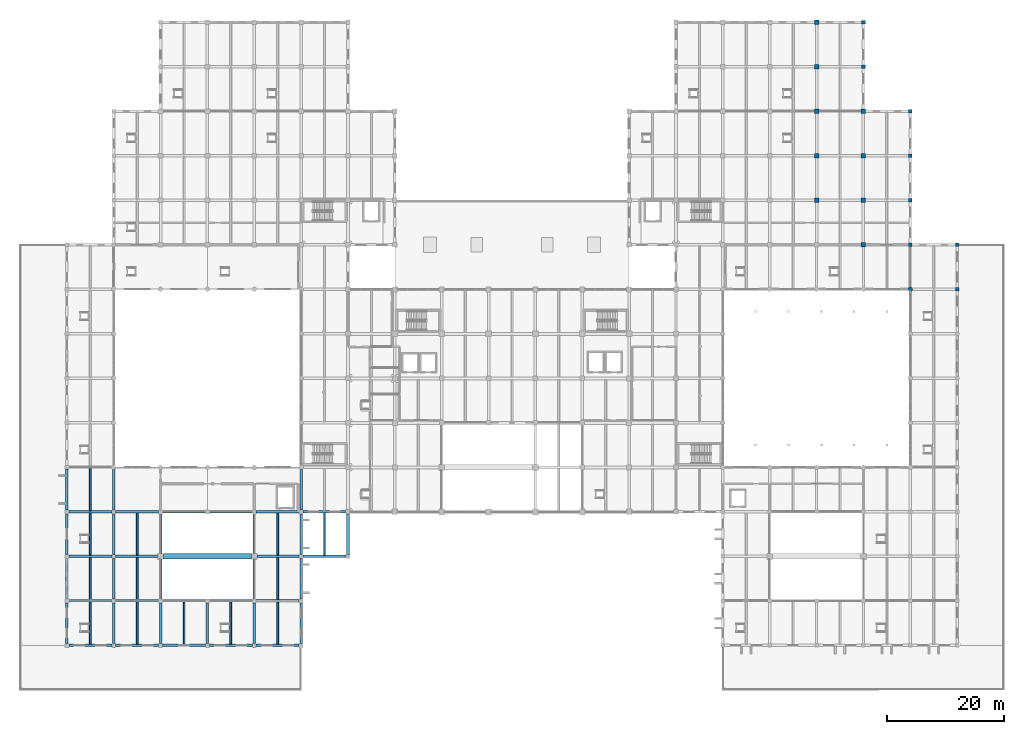
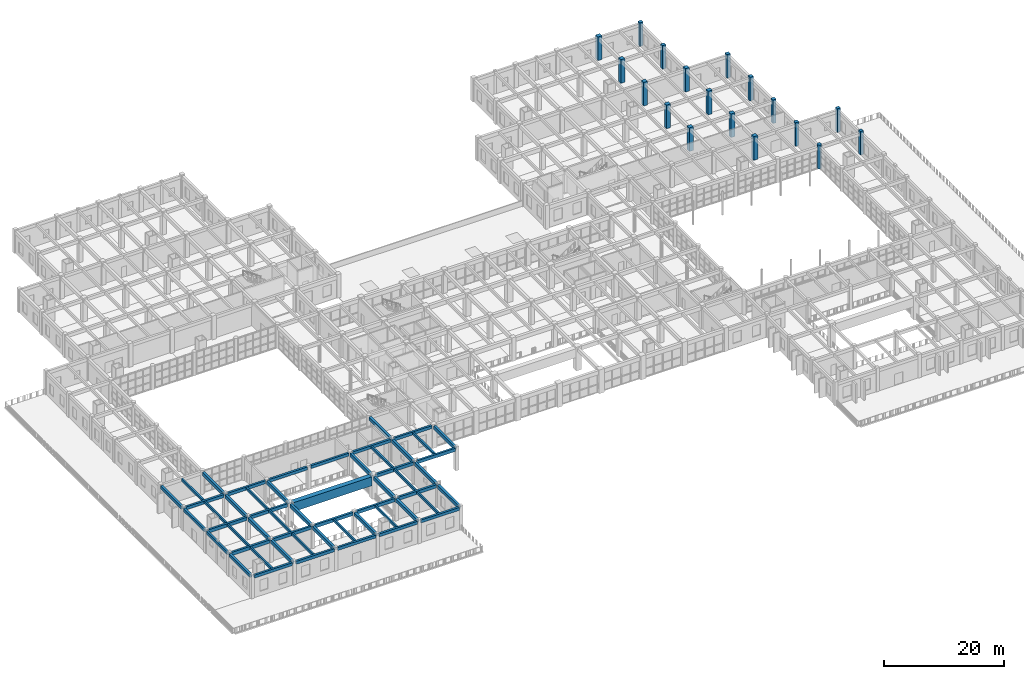
# One storey, part 6 of 101: 54 beams, 18 columns.
"""IFC4 building model written with IfcOpenShell, lengths in metres."""

from ifc_helpers import new_model, si_unit, direction, frame, origin, origin_2d, place, context, subcontext, project, spatial, rectangle, circle, extrude, material, material_profile, profile_set, type_object, element, save


model = new_model("IFC4")

# Units and contexts
model_context = context("Model", 3, precision=1e-05, world=origin(), true_north=direction((0.0, 1.0)))
body_context = subcontext(model_context, "Body", "Model", "MODEL_VIEW")
ifc_project = project(units=[si_unit("LENGTHUNIT", "METRE"), si_unit("AREAUNIT", "SQUARE_METRE"), si_unit("VOLUMEUNIT", "CUBIC_METRE"), si_unit("PLANEANGLEUNIT", "RADIAN"), si_unit("MASSUNIT", "GRAM", prefix="KILO")], contexts=[model_context])

# Site, building, storey
site_placement = place(None, origin())
site = spatial("IfcSite", under=ifc_project, at=site_placement, CompositionType="ELEMENT")
building_placement = place(site_placement, origin())
building = spatial("IfcBuilding", under=site, at=building_placement, Name="Zantavel Square City Hall", CompositionType="ELEMENT")
storey_placement = place(building_placement, frame((0.0, 0.0, 5.39990234375)))
storey = spatial("IfcBuildingStorey", under=building, at=storey_placement, Name="L02", CompositionType="ELEMENT", Elevation=5.39990234375)

# Columns
ifc_material_1 = material(Name="Concrete C40/50", Category="concrete")
ifc_material_profile_1 = material_profile(ifc_material_1, rectangle(XDim=0.60009765625, YDim=0.60009765625, at=origin_2d()), Name="RC 600x600")
ifc_profile_set_1 = profile_set([ifc_material_profile_1], Name="Concrete C40/50")
column_type_1 = type_object("IfcColumnType", Name="Column RC 600x600 C40/50", PredefinedType="COLUMN", material=ifc_profile_set_1)
for number, where, z_axis, x_axis, name in (
    (1, (160.0, 68.39990234375, 0.0), (0.0, 0.0, 1.0), (1.0, 0.0, 0.0), "L02 Column COL-L02-1600-0684"),
    (2, (160.0, 76.0, 0.0), (0.0, 0.0, 1.0), (1.0, 0.0, 0.0), "L02 Column COL-L02-1600-0760"),
):
    element("IfcColumn", number, at=place(storey_placement, frame(where, z_axis=z_axis, x_axis=x_axis)), inside=storey, type_object=column_type_1, Name=name, PredefinedType="COLUMN", context=body_context, shape_type="SweptSolid", body=[
        extrude(rectangle(XDim=0.60009765625, YDim=0.60009765625, at=origin_2d()), origin(), (0.0, 0.0, 1.0), 4.800048828125),
    ])
ifc_material_profile_2 = material_profile(ifc_material_1, rectangle(XDim=0.64990234375, YDim=0.64990234375, at=origin_2d()), Name="RC 650x650")
ifc_profile_set_2 = profile_set([ifc_material_profile_2], Name="Concrete C40/50")
column_type_2 = type_object("IfcColumnType", Name="Column RC 650x650 C40/50", PredefinedType="COLUMN", material=ifc_profile_set_2)
for number, where, z_axis, x_axis, name in (
    (3, (144.0, 106.39990234375, 0.0), (0.0, 0.0, 1.0), (1.0, 0.0, 0.0), "L02 Column COL-L02-1440-1064"),
    (4, (144.0, 114.0, 0.0), (0.0, 0.0, 1.0), (1.0, 0.0, 0.0), "L02 Column COL-L02-1440-1140"),
    (5, (152.0, 76.0, 0.0), (0.0, 0.0, 1.0), (1.0, 0.0, 0.0), "L02 Column COL-L02-1520-0760"),
    (6, (152.0, 83.60009765625, 0.0), (0.0, 0.0, 1.0), (1.0, 0.0, 0.0), "L02 Column COL-L02-1520-0836"),
    (7, (152.0, 91.199951171875, 0.0), (0.0, 0.0, 1.0), (1.0, 0.0, 0.0), "L02 Column COL-L02-1520-0912"),
    (8, (152.0, 98.800048828125, 0.0), (0.0, 0.0, 1.0), (1.0, 0.0, 0.0), "L02 Column COL-L02-1520-0988"),
):
    element("IfcColumn", number, at=place(storey_placement, frame(where, z_axis=z_axis, x_axis=x_axis)), inside=storey, type_object=column_type_2, Name=name, PredefinedType="COLUMN", context=body_context, shape_type="SweptSolid", body=[
        extrude(rectangle(XDim=0.64990234375, YDim=0.64990234375, at=origin_2d()), origin(), (0.0, 0.0, 1.0), 4.800048828125),
    ])
ifc_material_profile_3 = material_profile(ifc_material_1, rectangle(XDim=0.75, YDim=0.75, at=origin_2d()), Name="RC 750x750")
ifc_profile_set_3 = profile_set([ifc_material_profile_3], Name="Concrete C40/50")
column_type_3 = type_object("IfcColumnType", Name="Column RC 750x750 C40/50", PredefinedType="COLUMN", material=ifc_profile_set_3)
for number, where, z_axis, x_axis, name in (
    (9, (136.0, 83.60009765625, 0.0), (0.0, 0.0, 1.0), (1.0, 0.0, 0.0), "L02 Column COL-L02-1360-0836"),
    (10, (136.0, 91.199951171875, 0.0), (0.0, 0.0, 1.0), (1.0, 0.0, 0.0), "L02 Column COL-L02-1360-0912"),
    (11, (136.0, 98.800048828125, 0.0), (0.0, 0.0, 1.0), (1.0, 0.0, 0.0), "L02 Column COL-L02-1360-0988"),
    (12, (136.0, 106.39990234375, 0.0), (0.0, 0.0, 1.0), (1.0, 0.0, 0.0), "L02 Column COL-L02-1360-1064"),
    (13, (136.0, 114.0, 0.0), (0.0, 0.0, 1.0), (1.0, 0.0, 0.0), "L02 Column COL-L02-1360-1140"),
    (14, (144.0, 76.0, 0.0), (0.0, 0.0, 1.0), (1.0, 0.0, 0.0), "L02 Column COL-L02-1440-0760"),
    (15, (144.0, 83.60009765625, 0.0), (0.0, 0.0, 1.0), (1.0, 0.0, 0.0), "L02 Column COL-L02-1440-0836"),
    (16, (144.0, 91.199951171875, 0.0), (0.0, 0.0, 1.0), (1.0, 0.0, 0.0), "L02 Column COL-L02-1440-0912"),
    (17, (144.0, 98.800048828125, 0.0), (0.0, 0.0, 1.0), (1.0, 0.0, 0.0), "L02 Column COL-L02-1440-0988"),
):
    element("IfcColumn", number, at=place(storey_placement, frame(where, z_axis=z_axis, x_axis=x_axis)), inside=storey, type_object=column_type_3, Name=name, PredefinedType="COLUMN", context=body_context, shape_type="SweptSolid", body=[
        extrude(rectangle(XDim=0.75, YDim=0.75, at=origin_2d()), origin(), (0.0, 0.0, 1.0), 4.800048828125),
    ])
ifc_material_profile_4 = material_profile(ifc_material_1, circle(Radius=0.375, at=origin_2d()), Name="ROUND D750")
ifc_profile_set_4 = profile_set([ifc_material_profile_4], Name="Concrete C40/50")
column_type_4 = type_object("IfcColumnType", Name="Courtyard Ionic Column D750 C40/50", PredefinedType="COLUMN", material=ifc_profile_set_4)
column_placement = place(storey_placement, frame((152.0, 68.39990234375, 0.0), z_axis=(0.0, 0.0, 1.0), x_axis=(1.0, 0.0, 0.0)))
element("IfcColumn", 18, at=column_placement, inside=storey, type_object=column_type_4, Name="L02 Column COL-L02-1520-0684", PredefinedType="COLUMN", context=body_context, shape_type="SweptSolid", body=[
    extrude(circle(Radius=0.375, at=origin_2d()), origin(), (0.0, 0.0, 1.0), 4.800048828125),
])

# Beams
ifc_material_2 = material(Name="Concrete C35/45", Category="concrete")
ifc_material_profile_5 = material_profile(ifc_material_2, rectangle(XDim=0.300048828125, YDim=0.5, at=origin_2d()), Name="RC 300x500")
ifc_profile_set_5 = profile_set([ifc_material_profile_5], Name="Concrete C35/45")
beam_type_1 = type_object("IfcBeamType", Name="Floor Joist RC 300x500 C35/45", PredefinedType="JOIST", material=ifc_profile_set_5)
beam_1_placement = place(storey_placement, frame((12.0, 7.800048828125, 4.2900390625), z_axis=(0.0, 1.0, 0.0), x_axis=(-1.0, 0.0, 0.0)))
element("IfcBeam", 19, at=beam_1_placement, inside=storey, type_object=beam_type_1, Name="L02 Floor Joist JST-L02-0120-0076", PredefinedType="JOIST", context=body_context, shape_type="SweptSolid", body=[
    extrude(rectangle(XDim=0.300048828125, YDim=0.5, at=origin_2d()), origin(), (0.0, 0.0, 1.0), 7.199951171875),
])
beam_2_placement = place(storey_placement, frame((12.0, 15.39990234375, 4.2900390625), z_axis=(0.0, 1.0, 0.0), x_axis=(-1.0, 0.0, 0.0)))
element("IfcBeam", 20, at=beam_2_placement, inside=storey, type_object=beam_type_1, Name="L02 Floor Joist JST-L02-0120-0152", PredefinedType="JOIST", context=body_context, shape_type="SweptSolid", body=[
    extrude(rectangle(XDim=0.300048828125, YDim=0.5, at=origin_2d()), origin(), (0.0, 0.0, 1.0), 7.2001953125),
])
for number, where, z_axis, x_axis, name in (
    (21, (12.0, 23.0, 4.2900390625), (0.0, 1.0, 0.0), (-1.0, 0.0, 0.0), "L02 Floor Joist JST-L02-0120-0228"),
    (22, (12.0, 30.60009765625, 4.2900390625), (0.0, 1.0, 0.0), (-1.0, 0.0, 0.0), "L02 Floor Joist JST-L02-0120-0304"),
    (23, (20.0, 7.800048828125, 4.2900390625), (0.0, 1.0, 0.0), (-1.0, 0.0, 0.0), "L02 Floor Joist JST-L02-0200-0076"),
):
    element("IfcBeam", number, at=place(storey_placement, frame(where, z_axis=z_axis, x_axis=x_axis)), inside=storey, type_object=beam_type_1, Name=name, PredefinedType="JOIST", context=body_context, shape_type="SweptSolid", body=[
        extrude(rectangle(XDim=0.300048828125, YDim=0.5, at=origin_2d()), origin(), (0.0, 0.0, 1.0), 7.199951171875),
    ])
beam_3_placement = place(storey_placement, frame((20.0, 15.39990234375, 4.2900390625), z_axis=(0.0, 1.0, 0.0), x_axis=(-1.0, 0.0, 0.0)))
element("IfcBeam", 24, at=beam_3_placement, inside=storey, type_object=beam_type_1, Name="L02 Floor Joist JST-L02-0200-0152", PredefinedType="JOIST", context=body_context, shape_type="SweptSolid", body=[
    extrude(rectangle(XDim=0.300048828125, YDim=0.5, at=origin_2d()), origin(), (0.0, 0.0, 1.0), 7.2001953125),
])
for number, where, z_axis, x_axis, name in (
    (25, (20.0, 23.0, 4.2900390625), (0.0, 1.0, 0.0), (-1.0, 0.0, 0.0), "L02 Floor Joist JST-L02-0200-0228"),
    (26, (28.0, 7.800048828125, 4.2900390625), (0.0, 1.0, 0.0), (-1.0, 0.0, 0.0), "L02 Floor Joist JST-L02-0280-0076"),
    (27, (36.0, 7.800048828125, 4.2900390625), (0.0, 1.0, 0.0), (-1.0, 0.0, 0.0), "L02 Floor Joist JST-L02-0360-0076"),
    (28, (44.0, 7.800048828125, 4.2900390625), (0.0, 1.0, 0.0), (-1.0, 0.0, 0.0), "L02 Floor Joist JST-L02-0440-0076"),
):
    element("IfcBeam", number, at=place(storey_placement, frame(where, z_axis=z_axis, x_axis=x_axis)), inside=storey, type_object=beam_type_1, Name=name, PredefinedType="JOIST", context=body_context, shape_type="SweptSolid", body=[
        extrude(rectangle(XDim=0.300048828125, YDim=0.5, at=origin_2d()), origin(), (0.0, 0.0, 1.0), 7.199951171875),
    ])
beam_4_placement = place(storey_placement, frame((44.0, 15.39990234375, 4.2900390625), z_axis=(0.0, 1.0, 0.0), x_axis=(-1.0, 0.0, 0.0)))
element("IfcBeam", 29, at=beam_4_placement, inside=storey, type_object=beam_type_1, Name="L02 Floor Joist JST-L02-0440-0152", PredefinedType="JOIST", context=body_context, shape_type="SweptSolid", body=[
    extrude(rectangle(XDim=0.300048828125, YDim=0.5, at=origin_2d()), origin(), (0.0, 0.0, 1.0), 7.2001953125),
])
for number, where, z_axis, x_axis, name in (
    (30, (44.0, 23.0, 4.2900390625), (0.0, 1.0, 0.0), (-1.0, 0.0, 0.0), "L02 Floor Joist JST-L02-0440-0228"),
    (31, (52.0, 23.0, 4.2900390625), (0.0, 1.0, 0.0), (-1.0, 0.0, 0.0), "L02 Floor Joist JST-L02-0520-0228"),
):
    element("IfcBeam", number, at=place(storey_placement, frame(where, z_axis=z_axis, x_axis=x_axis)), inside=storey, type_object=beam_type_1, Name=name, PredefinedType="JOIST", context=body_context, shape_type="SweptSolid", body=[
        extrude(rectangle(XDim=0.300048828125, YDim=0.5, at=origin_2d()), origin(), (0.0, 0.0, 1.0), 7.199951171875),
    ])
ifc_material_profile_6 = material_profile(ifc_material_2, rectangle(XDim=0.39990234375, YDim=0.64990234375, at=origin_2d()), Name="RC 400x650")
ifc_profile_set_6 = profile_set([ifc_material_profile_6], Name="Concrete C35/45")
beam_type_2 = type_object("IfcBeamType", Name="Frame Beam RC 400x650 C35/45", PredefinedType="BEAM", material=ifc_profile_set_6)
for number, where, z_axis, x_axis, name in (
    (32, (8.324951171875, 15.199951171875, 4.215087890625), (1.0, 0.0, 0.0), (0.0, 1.0, 0.0), "L02 Girder BMX-L02-0080-0152"),
    (33, (8.324951171875, 22.800048828125, 4.215087890625), (1.0, 0.0, 0.0), (0.0, 1.0, 0.0), "L02 Girder BMX-L02-0080-0228"),
    (34, (16.324951171875, 15.199951171875, 4.215087890625), (1.0, 0.0, 0.0), (0.0, 1.0, 0.0), "L02 Girder BMX-L02-0160-0152"),
):
    element("IfcBeam", number, at=place(storey_placement, frame(where, z_axis=z_axis, x_axis=x_axis)), inside=storey, type_object=beam_type_2, Name=name, PredefinedType="BEAM", context=body_context, shape_type="SweptSolid", body=[
        extrude(rectangle(XDim=0.39990234375, YDim=0.64990234375, at=origin_2d()), origin(), (0.0, 0.0, 1.0), 7.35009765625),
    ])
beam_5_placement = place(storey_placement, frame((16.324951171875, 22.800048828125, 4.215087890625), z_axis=(1.0, 0.0, 0.0), x_axis=(0.0, 1.0, 0.0)))
element("IfcBeam", 35, at=beam_5_placement, inside=storey, type_object=beam_type_2, Name="L02 Girder BMX-L02-0160-0228", PredefinedType="BEAM", context=body_context, shape_type="SweptSolid", body=[
    extrude(rectangle(XDim=0.39990234375, YDim=0.64990234375, at=origin_2d()), origin(), (0.0, 0.0, 1.0), 7.175048828125),
])
for number, where, z_axis, x_axis, name in (
    (36, (24.324951171875, 15.199951171875, 4.215087890625), (1.0, 0.0, 0.0), (0.0, 1.0, 0.0), "L02 Girder BMX-L02-0240-0152"),
    (37, (32.324951171875, 15.199951171875, 4.215087890625), (1.0, 0.0, 0.0), (0.0, 1.0, 0.0), "L02 Girder BMX-L02-0320-0152"),
    (38, (40.324951171875, 15.199951171875, 4.215087890625), (1.0, 0.0, 0.0), (0.0, 1.0, 0.0), "L02 Girder BMX-L02-0400-0152"),
):
    element("IfcBeam", number, at=place(storey_placement, frame(where, z_axis=z_axis, x_axis=x_axis)), inside=storey, type_object=beam_type_2, Name=name, PredefinedType="BEAM", context=body_context, shape_type="SweptSolid", body=[
        extrude(rectangle(XDim=0.39990234375, YDim=0.64990234375, at=origin_2d()), origin(), (0.0, 0.0, 1.0), 7.35009765625),
    ])
beam_6_placement = place(storey_placement, frame((40.5, 22.800048828125, 4.215087890625), z_axis=(1.0, 0.0, 0.0), x_axis=(0.0, 1.0, 0.0)))
element("IfcBeam", 39, at=beam_6_placement, inside=storey, type_object=beam_type_2, Name="L02 Girder BMX-L02-0400-0228", PredefinedType="BEAM", context=body_context, shape_type="SweptSolid", body=[
    extrude(rectangle(XDim=0.39990234375, YDim=0.64990234375, at=origin_2d()), origin(), (0.0, 0.0, 1.0), 7.175048828125),
])
beam_7_placement = place(storey_placement, frame((48.324951171875, 22.800048828125, 4.215087890625), z_axis=(1.0, 0.0, 0.0), x_axis=(0.0, 1.0, 0.0)))
element("IfcBeam", 40, at=beam_7_placement, inside=storey, type_object=beam_type_2, Name="L02 Girder BMX-L02-0480-0228", PredefinedType="BEAM", context=body_context, shape_type="SweptSolid", body=[
    extrude(rectangle(XDim=0.39990234375, YDim=0.64990234375, at=origin_2d()), origin(), (0.0, 0.0, 1.0), 7.35009765625),
])
ifc_material_profile_7 = material_profile(ifc_material_2, rectangle(XDim=0.39990234375, YDim=0.60009765625, at=origin_2d()), Name="RC 400x600")
ifc_profile_set_7 = profile_set([ifc_material_profile_7], Name="Concrete C35/45")
beam_type_3 = type_object("IfcBeamType", Name="Perimeter Spandrel RC 400x600 C35/45", PredefinedType="SPANDREL", material=ifc_profile_set_7)
beam_8_placement = place(storey_placement, frame((8.324951171875, 7.60009765625, 4.239990234375), z_axis=(1.0, 0.0, 0.0), x_axis=(0.0, 1.0, 0.0)))
element("IfcBeam", 41, at=beam_8_placement, inside=storey, type_object=beam_type_3, Name="L02 Girder BMX-L02-0080-0076", PredefinedType="SPANDREL", context=body_context, shape_type="SweptSolid", body=[
    extrude(rectangle(XDim=0.39990234375, YDim=0.60009765625, at=origin_2d()), origin(), (0.0, 0.0, 1.0), 7.35009765625),
])
beam_9_placement = place(storey_placement, frame((8.0, 7.925048828125, 4.239990234375), z_axis=(0.0, 1.0, 0.0), x_axis=(-1.0, 0.0, 0.0)))
element("IfcBeam", 42, at=beam_9_placement, inside=storey, type_object=beam_type_3, Name="L02 Beam BMY-L02-0080-0076", PredefinedType="SPANDREL", context=body_context, shape_type="SweptSolid", body=[
    extrude(rectangle(XDim=0.39990234375, YDim=0.60009765625, at=origin_2d()), origin(), (0.0, 0.0, 1.0), 6.949951171875),
])
beam_10_placement = place(storey_placement, frame((8.0, 15.52490234375, 4.239990234375), z_axis=(0.0, 1.0, 0.0), x_axis=(-1.0, 0.0, 0.0)))
element("IfcBeam", 43, at=beam_10_placement, inside=storey, type_object=beam_type_3, Name="L02 Beam BMY-L02-0080-0152", PredefinedType="SPANDREL", context=body_context, shape_type="SweptSolid", body=[
    extrude(rectangle(XDim=0.39990234375, YDim=0.60009765625, at=origin_2d()), origin(), (0.0, 0.0, 1.0), 6.9501953125),
])
beam_11_placement = place(storey_placement, frame((8.0, 23.125, 4.239990234375), z_axis=(0.0, 1.0, 0.0), x_axis=(-1.0, 0.0, 0.0)))
element("IfcBeam", 44, at=beam_11_placement, inside=storey, type_object=beam_type_3, Name="L02 Beam BMY-L02-0080-0228", PredefinedType="SPANDREL", context=body_context, shape_type="SweptSolid", body=[
    extrude(rectangle(XDim=0.39990234375, YDim=0.60009765625, at=origin_2d()), origin(), (0.0, 0.0, 1.0), 6.949951171875),
])
beam_12_placement = place(storey_placement, frame((8.324951171875, 30.39990234375, 4.239990234375), z_axis=(1.0, 0.0, 0.0), x_axis=(0.0, 1.0, 0.0)))
element("IfcBeam", 45, at=beam_12_placement, inside=storey, type_object=beam_type_3, Name="L02 Girder BMX-L02-0080-0304", PredefinedType="SPANDREL", context=body_context, shape_type="SweptSolid", body=[
    extrude(rectangle(XDim=0.39990234375, YDim=0.60009765625, at=origin_2d()), origin(), (0.0, 0.0, 1.0), 7.35009765625),
])
beam_13_placement = place(storey_placement, frame((8.0, 30.72509765625, 4.239990234375), z_axis=(0.0, 1.0, 0.0), x_axis=(-1.0, 0.0, 0.0)))
element("IfcBeam", 46, at=beam_13_placement, inside=storey, type_object=beam_type_3, Name="L02 Beam BMY-L02-0080-0304", PredefinedType="SPANDREL", context=body_context, shape_type="SweptSolid", body=[
    extrude(rectangle(XDim=0.39990234375, YDim=0.60009765625, at=origin_2d()), origin(), (0.0, 0.0, 1.0), 6.949951171875),
])
for number, where, z_axis, x_axis, name in (
    (47, (16.324951171875, 7.60009765625, 4.239990234375), (1.0, 0.0, 0.0), (0.0, 1.0, 0.0), "L02 Girder BMX-L02-0160-0076"),
    (48, (16.324951171875, 30.39990234375, 4.239990234375), (1.0, 0.0, 0.0), (0.0, 1.0, 0.0), "L02 Girder BMX-L02-0160-0304"),
    (49, (24.324951171875, 7.60009765625, 4.239990234375), (1.0, 0.0, 0.0), (0.0, 1.0, 0.0), "L02 Girder BMX-L02-0240-0076"),
    (50, (24.324951171875, 30.39990234375, 4.239990234375), (1.0, 0.0, 0.0), (0.0, 1.0, 0.0), "L02 Girder BMX-L02-0240-0304"),
    (51, (32.324951171875, 7.60009765625, 4.239990234375), (1.0, 0.0, 0.0), (0.0, 1.0, 0.0), "L02 Girder BMX-L02-0320-0076"),
    (52, (32.324951171875, 30.39990234375, 4.239990234375), (1.0, 0.0, 0.0), (0.0, 1.0, 0.0), "L02 Girder BMX-L02-0320-0304"),
    (53, (40.324951171875, 7.60009765625, 4.239990234375), (1.0, 0.0, 0.0), (0.0, 1.0, 0.0), "L02 Girder BMX-L02-0400-0076"),
    (54, (40.324951171875, 30.39990234375, 4.239990234375), (1.0, 0.0, 0.0), (0.0, 1.0, 0.0), "L02 Girder BMX-L02-0400-0304"),
):
    element("IfcBeam", number, at=place(storey_placement, frame(where, z_axis=z_axis, x_axis=x_axis)), inside=storey, type_object=beam_type_3, Name=name, PredefinedType="SPANDREL", context=body_context, shape_type="SweptSolid", body=[
        extrude(rectangle(XDim=0.39990234375, YDim=0.60009765625, at=origin_2d()), origin(), (0.0, 0.0, 1.0), 7.35009765625),
    ])
beam_14_placement = place(storey_placement, frame((48.324951171875, 30.39990234375, 4.239990234375), z_axis=(1.0, 0.0, 0.0), x_axis=(0.0, 1.0, 0.0)))
element("IfcBeam", 55, at=beam_14_placement, inside=storey, type_object=beam_type_3, Name="L02 Girder BMX-L02-0480-0304", PredefinedType="SPANDREL", context=body_context, shape_type="SweptSolid", body=[
    extrude(rectangle(XDim=0.39990234375, YDim=0.60009765625, at=origin_2d()), origin(), (0.0, 0.0, 1.0), 7.275146484375),
])
ifc_material_profile_8 = material_profile(ifc_material_2, rectangle(XDim=0.449951171875, YDim=0.699951171875, at=origin_2d()), Name="RC 450x700")
ifc_profile_set_8 = profile_set([ifc_material_profile_8], Name="Concrete C35/45")
beam_type_4 = type_object("IfcBeamType", Name="Primary Girder RC 450x700 C35/45", PredefinedType="BEAM", material=ifc_profile_set_8)
beam_15_placement = place(storey_placement, frame((16.0, 7.925048828125, 4.190185546875), z_axis=(0.0, 1.0, 0.0), x_axis=(-1.0, 0.0, 0.0)))
element("IfcBeam", 56, at=beam_15_placement, inside=storey, type_object=beam_type_4, Name="L02 Beam BMY-L02-0160-0076", PredefinedType="BEAM", context=body_context, shape_type="SweptSolid", body=[
    extrude(rectangle(XDim=0.449951171875, YDim=0.699951171875, at=origin_2d()), origin(), (0.0, 0.0, 1.0), 6.949951171875),
])
beam_16_placement = place(storey_placement, frame((16.0, 15.52490234375, 4.190185546875), z_axis=(0.0, 1.0, 0.0), x_axis=(-1.0, 0.0, 0.0)))
element("IfcBeam", 57, at=beam_16_placement, inside=storey, type_object=beam_type_4, Name="L02 Beam BMY-L02-0160-0152", PredefinedType="BEAM", context=body_context, shape_type="SweptSolid", body=[
    extrude(rectangle(XDim=0.449951171875, YDim=0.699951171875, at=origin_2d()), origin(), (0.0, 0.0, 1.0), 6.9501953125),
])
beam_17_placement = place(storey_placement, frame((16.0, 23.125, 4.190185546875), z_axis=(0.0, 1.0, 0.0), x_axis=(-1.0, 0.0, 0.0)))
element("IfcBeam", 58, at=beam_17_placement, inside=storey, type_object=beam_type_4, Name="L02 Beam BMY-L02-0160-0228", PredefinedType="BEAM", context=body_context, shape_type="SweptSolid", body=[
    extrude(rectangle(XDim=0.449951171875, YDim=0.699951171875, at=origin_2d()), origin(), (0.0, 0.0, 1.0), 6.949951171875),
])
beam_18_placement = place(storey_placement, frame((16.0, 30.72509765625, 4.190185546875), z_axis=(0.0, 1.0, 0.0), x_axis=(-1.0, 0.0, 0.0)))
element("IfcBeam", 59, at=beam_18_placement, inside=storey, type_object=beam_type_4, Name="L02 Beam BMY-L02-0160-0304", PredefinedType="BEAM", context=body_context, shape_type="SweptSolid", body=[
    extrude(rectangle(XDim=0.449951171875, YDim=0.699951171875, at=origin_2d()), origin(), (0.0, 0.0, 1.0), 6.89990234375),
])
beam_19_placement = place(storey_placement, frame((24.0, 7.925048828125, 4.190185546875), z_axis=(0.0, 1.0, 0.0), x_axis=(-1.0, 0.0, 0.0)))
element("IfcBeam", 60, at=beam_19_placement, inside=storey, type_object=beam_type_4, Name="L02 Beam BMY-L02-0240-0076", PredefinedType="BEAM", context=body_context, shape_type="SweptSolid", body=[
    extrude(rectangle(XDim=0.449951171875, YDim=0.699951171875, at=origin_2d()), origin(), (0.0, 0.0, 1.0), 6.949951171875),
])
beam_20_placement = place(storey_placement, frame((24.0, 15.52490234375, 4.190185546875), z_axis=(0.0, 1.0, 0.0), x_axis=(-1.0, 0.0, 0.0)))
element("IfcBeam", 61, at=beam_20_placement, inside=storey, type_object=beam_type_4, Name="L02 Beam BMY-L02-0240-0152", PredefinedType="BEAM", context=body_context, shape_type="SweptSolid", body=[
    extrude(rectangle(XDim=0.449951171875, YDim=0.699951171875, at=origin_2d()), origin(), (0.0, 0.0, 1.0), 6.775146484375),
])
beam_21_placement = place(storey_placement, frame((24.0, 23.300048828125, 4.190185546875), z_axis=(0.0, 1.0, 0.0), x_axis=(-1.0, 0.0, 0.0)))
element("IfcBeam", 62, at=beam_21_placement, inside=storey, type_object=beam_type_4, Name="L02 Beam BMY-L02-0240-0228", PredefinedType="BEAM", context=body_context, shape_type="SweptSolid", body=[
    extrude(rectangle(XDim=0.449951171875, YDim=0.699951171875, at=origin_2d()), origin(), (0.0, 0.0, 1.0), 6.77490234375),
])
for number, where, z_axis, x_axis, name in (
    (63, (32.0, 7.925048828125, 4.190185546875), (0.0, 1.0, 0.0), (-1.0, 0.0, 0.0), "L02 Beam BMY-L02-0320-0076"),
    (64, (40.0, 7.925048828125, 4.190185546875), (0.0, 1.0, 0.0), (-1.0, 0.0, 0.0), "L02 Beam BMY-L02-0400-0076"),
):
    element("IfcBeam", number, at=place(storey_placement, frame(where, z_axis=z_axis, x_axis=x_axis)), inside=storey, type_object=beam_type_4, Name=name, PredefinedType="BEAM", context=body_context, shape_type="SweptSolid", body=[
        extrude(rectangle(XDim=0.449951171875, YDim=0.699951171875, at=origin_2d()), origin(), (0.0, 0.0, 1.0), 6.949951171875),
    ])
beam_22_placement = place(storey_placement, frame((40.0, 15.52490234375, 4.190185546875), z_axis=(0.0, 1.0, 0.0), x_axis=(-1.0, 0.0, 0.0)))
element("IfcBeam", 65, at=beam_22_placement, inside=storey, type_object=beam_type_4, Name="L02 Beam BMY-L02-0400-0152", PredefinedType="BEAM", context=body_context, shape_type="SweptSolid", body=[
    extrude(rectangle(XDim=0.449951171875, YDim=0.699951171875, at=origin_2d()), origin(), (0.0, 0.0, 1.0), 6.775146484375),
])
beam_23_placement = place(storey_placement, frame((40.0, 23.300048828125, 4.190185546875), z_axis=(0.0, 1.0, 0.0), x_axis=(-1.0, 0.0, 0.0)))
element("IfcBeam", 66, at=beam_23_placement, inside=storey, type_object=beam_type_4, Name="L02 Beam BMY-L02-0400-0228", PredefinedType="BEAM", context=body_context, shape_type="SweptSolid", body=[
    extrude(rectangle(XDim=0.449951171875, YDim=0.699951171875, at=origin_2d()), origin(), (0.0, 0.0, 1.0), 6.77490234375),
])
beam_24_placement = place(storey_placement, frame((48.0, 7.925048828125, 4.190185546875), z_axis=(0.0, 1.0, 0.0), x_axis=(-1.0, 0.0, 0.0)))
element("IfcBeam", 67, at=beam_24_placement, inside=storey, type_object=beam_type_4, Name="L02 Beam BMY-L02-0480-0076", PredefinedType="BEAM", context=body_context, shape_type="SweptSolid", body=[
    extrude(rectangle(XDim=0.449951171875, YDim=0.699951171875, at=origin_2d()), origin(), (0.0, 0.0, 1.0), 6.949951171875),
])
beam_25_placement = place(storey_placement, frame((48.0, 15.52490234375, 4.190185546875), z_axis=(0.0, 1.0, 0.0), x_axis=(-1.0, 0.0, 0.0)))
element("IfcBeam", 68, at=beam_25_placement, inside=storey, type_object=beam_type_4, Name="L02 Beam BMY-L02-0480-0152", PredefinedType="BEAM", context=body_context, shape_type="SweptSolid", body=[
    extrude(rectangle(XDim=0.449951171875, YDim=0.699951171875, at=origin_2d()), origin(), (0.0, 0.0, 1.0), 6.9501953125),
])
beam_26_placement = place(storey_placement, frame((48.0, 23.125, 4.190185546875), z_axis=(0.0, 1.0, 0.0), x_axis=(-1.0, 0.0, 0.0)))
element("IfcBeam", 69, at=beam_26_placement, inside=storey, type_object=beam_type_4, Name="L02 Beam BMY-L02-0480-0228", PredefinedType="BEAM", context=body_context, shape_type="SweptSolid", body=[
    extrude(rectangle(XDim=0.449951171875, YDim=0.699951171875, at=origin_2d()), origin(), (0.0, 0.0, 1.0), 6.949951171875),
])
beam_27_placement = place(storey_placement, frame((48.0, 30.72509765625, 4.190185546875), z_axis=(0.0, 1.0, 0.0), x_axis=(-1.0, 0.0, 0.0)))
element("IfcBeam", 70, at=beam_27_placement, inside=storey, type_object=beam_type_4, Name="L02 Beam BMY-L02-0480-0304", PredefinedType="BEAM", context=body_context, shape_type="SweptSolid", body=[
    extrude(rectangle(XDim=0.449951171875, YDim=0.699951171875, at=origin_2d()), origin(), (0.0, 0.0, 1.0), 6.89990234375),
])
beam_28_placement = place(storey_placement, frame((56.0, 23.125, 4.190185546875), z_axis=(0.0, 1.0, 0.0), x_axis=(-1.0, 0.0, 0.0)))
element("IfcBeam", 71, at=beam_28_placement, inside=storey, type_object=beam_type_4, Name="L02 Beam BMY-L02-0560-0228", PredefinedType="BEAM", context=body_context, shape_type="SweptSolid", body=[
    extrude(rectangle(XDim=0.449951171875, YDim=0.699951171875, at=origin_2d()), origin(), (0.0, 0.0, 1.0), 6.875),
])
ifc_material_profile_9 = material_profile(ifc_material_1, rectangle(XDim=0.89990234375, YDim=1.800048828125, at=origin_2d()), Name="RC 900x1800")
ifc_profile_set_9 = profile_set([ifc_material_profile_9], Name="Concrete C40/50")
beam_type_5 = type_object("IfcBeamType", Name="Transfer Girder RC 900x1800 C40/50", PredefinedType="BEAM", material=ifc_profile_set_9)
beam_29_placement = place(storey_placement, frame((24.5, 22.800048828125, 3.64013671875), z_axis=(1.0, 0.0, 0.0), x_axis=(0.0, 1.0, 0.0)))
element("IfcBeam", 72, at=beam_29_placement, inside=storey, type_object=beam_type_5, Name="L02 Transfer Girder TG-WEST", PredefinedType="BEAM", context=body_context, shape_type="SweptSolid", body=[
    extrude(rectangle(XDim=0.89990234375, YDim=1.800048828125, at=origin_2d()), origin(), (0.0, 0.0, 1.0), 15.0),
])

save(model, "model.ifc")
